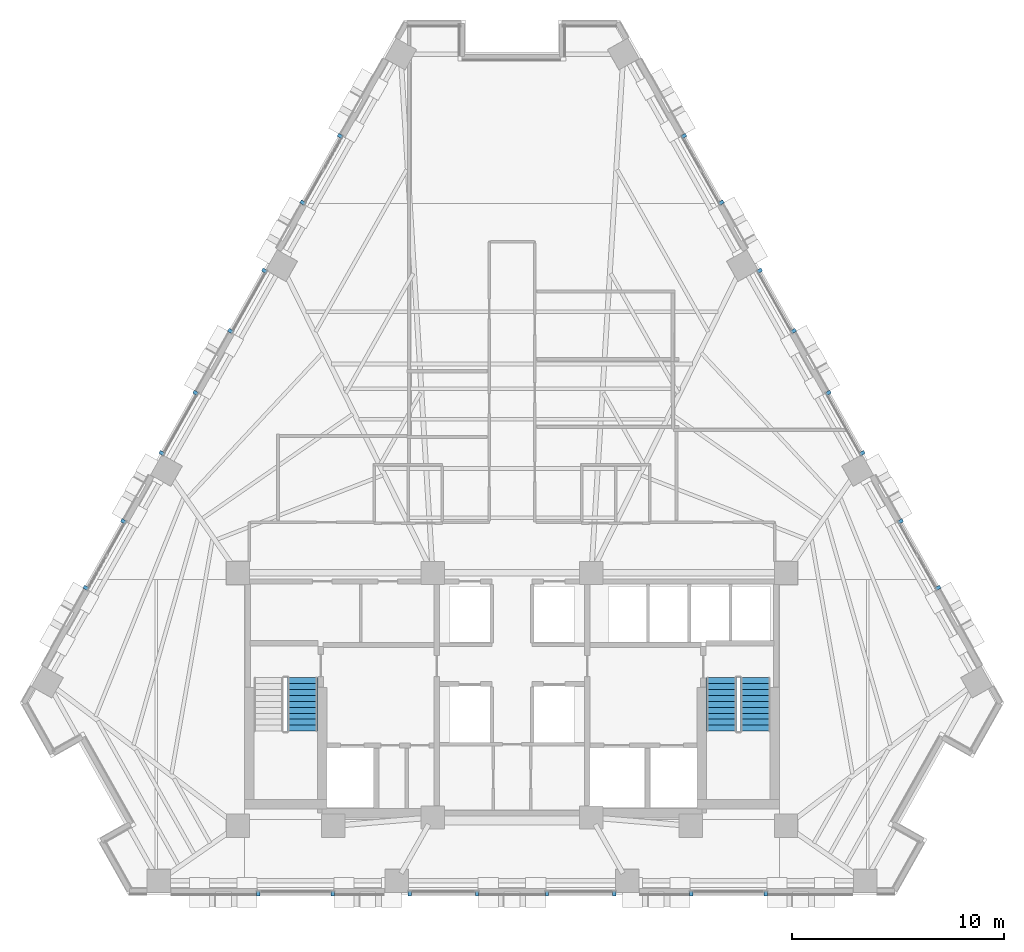
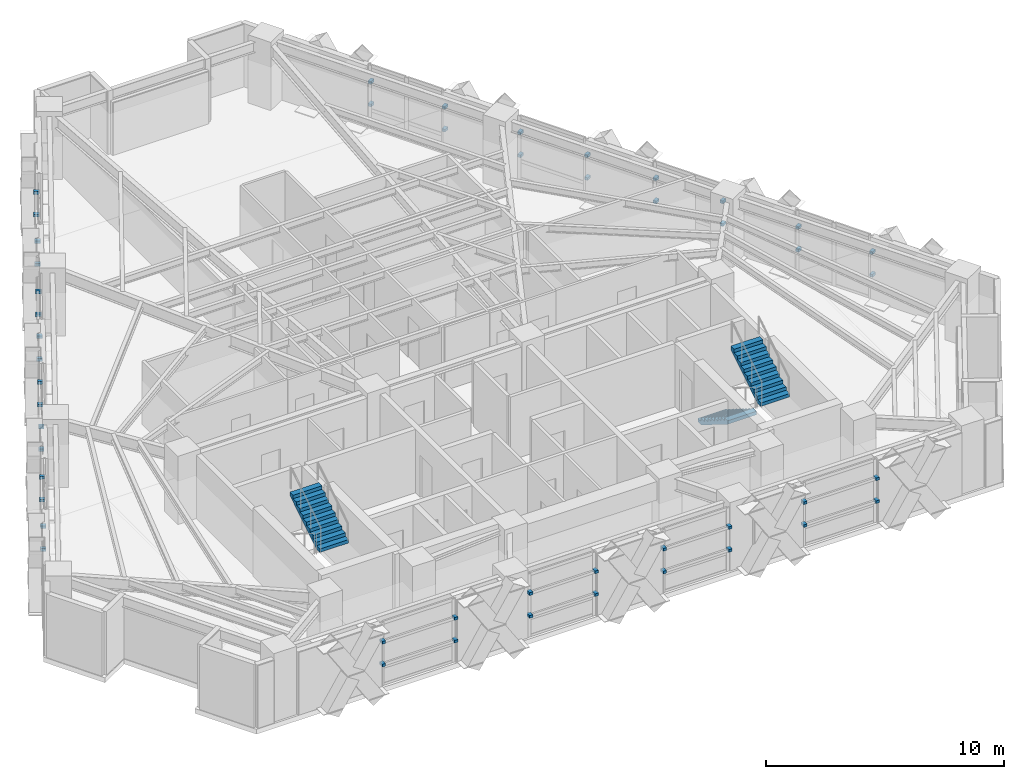
# One storey, part 10 of 14: 48 discrete accessories, 3 stair flights, 2 elements without a shape of their own.
"""IFC4 building model written with IfcOpenShell, lengths in metres."""

from ifc_helpers import new_model, si_unit, direction, frame, origin, origin_2d, place, context, subcontext, project, spatial, polyline, rectangle, outline, extrude, material, layer, layer_set, type_object, element, aggregate, save


model = new_model("IFC4")

# Units and contexts
model_context = context("Model", 3, precision=1e-05, world=origin(), true_north=direction((0.0, 1.0)))
body_context = subcontext(model_context, "Body", "Model", "MODEL_VIEW")
ifc_project = project(units=[si_unit("LENGTHUNIT", "METRE"), si_unit("AREAUNIT", "SQUARE_METRE"), si_unit("VOLUMEUNIT", "CUBIC_METRE"), si_unit("PLANEANGLEUNIT", "RADIAN"), si_unit("MASSUNIT", "GRAM", prefix="KILO")], contexts=[model_context])

# Site, building, storey
site_placement = place(None, origin())
site = spatial("IfcSite", under=ifc_project, at=site_placement, CompositionType="ELEMENT")
building_placement = place(site_placement, origin())
building = spatial("IfcBuilding", under=site, at=building_placement, Name="Quenlor Broadcast Tower", CompositionType="ELEMENT")
storey_placement = place(building_placement, frame((0.0, 0.0, 112.5)))
storey = spatial("IfcBuildingStorey", under=building, at=storey_placement, Name="L30", CompositionType="ELEMENT", Elevation=112.5)

# Stair, stair flight
ifc_material_1 = material(Name="Precast concrete C40/50", Category="concrete")
stair_type = type_object("IfcStairType", Name="Precast Concrete C40/50 Dogleg Stair H350", PredefinedType="HALF_TURN_STAIR", material=ifc_material_1)
stair_1_placement = place(storey_placement, origin())
stair_1 = element("IfcStair", 1, at=stair_1_placement, inside=storey, type_object=stair_type, Name="L30 West Core Fire-Isolated Exit Stair ST-1", PredefinedType="HALF_TURN_STAIR")
ifc_material_2 = material(Name="Precast concrete C40/50", Category="concrete")
ifc_layer = layer(ifc_material_2, 0.159912109375)
ifc_layer_set = layer_set([ifc_layer], Name="Precast Concrete C40/50 Stair Flight H350")
stair_flight_type = type_object("IfcStairFlightType", Name="Precast Concrete C40/50 Stair Flight H350", PredefinedType="STRAIGHT", material=ifc_layer_set)
stair_flight_1_placement = place(storey_placement, frame((-9.89990234375, -12.27001953125, 1.75), z_axis=(0.0, 0.0, 1.0), x_axis=(0.0, 1.0, 0.0)))
stair_flight_1 = element("IfcStairFlight", 2, at=stair_flight_1_placement, type_object=stair_flight_type, Name="ST-1 flight 2", NumberOfRisers=10, NumberOfTreads=9, PredefinedType="STRAIGHT", RiserHeight=0.175, TreadLength=0.28, context=body_context, shape_type="SweptSolid", body=[
    extrude(outline(polyline([(0.0, 0.0), (0.0, 0.175048828125), (0.280029296875, 0.175048828125), (0.280029296875, 0.35009765625), (0.56005859375, 0.35009765625), (0.56005859375, 0.52490234375), (0.840087890625, 0.52490234375), (0.840087890625, 0.699951171875), (1.1201171875, 0.699951171875), (1.1201171875, 0.875), (1.39990234375, 0.875), (1.39990234375, 1.050048828125), (1.679931640625, 1.050048828125), (1.679931640625, 1.22509765625), (1.9599609375, 1.22509765625), (1.9599609375, 1.39990234375), (2.239990234375, 1.39990234375), (2.239990234375, 1.574951171875), (2.52001953125, 1.574951171875), (2.52001953125, 1.75), (2.52001953125, 1.398193359375), (0.28271484375, 0.0), (0.0, 0.0)])), frame((0.0, 0.699951171875, 0.0), z_axis=(0.0, -1.0, 0.0), x_axis=(1.0, 0.0, 0.0)), (0.0, 0.0, 1.0), 1.39990234375),
])
aggregate(stair_1, [stair_flight_1])

# Stair, stair flights
stair_2_placement = place(storey_placement, origin())
stair_2 = element("IfcStair", 3, at=stair_2_placement, inside=storey, type_object=stair_type, Name="L30 East Core Fire-Isolated Exit Stair ST-2", PredefinedType="HALF_TURN_STAIR")
stair_flight_2_placement = place(storey_placement, frame((9.89990234375, -9.75, 0.0), z_axis=(0.0, 0.0, 1.0), x_axis=(0.0, -1.0, 0.0)))
stair_flight_2 = element("IfcStairFlight", 4, at=stair_flight_2_placement, type_object=stair_flight_type, Name="ST-2 flight 1", NumberOfRisers=10, NumberOfTreads=9, PredefinedType="STRAIGHT", RiserHeight=0.175, TreadLength=0.28, context=body_context, shape_type="SweptSolid", body=[
    extrude(outline(polyline([(0.0, 0.0), (0.0, 0.175048828125), (0.280029296875, 0.175048828125), (0.280029296875, 0.35009765625), (0.56005859375, 0.35009765625), (0.56005859375, 0.52490234375), (0.840087890625, 0.52490234375), (0.840087890625, 0.699951171875), (1.1201171875, 0.699951171875), (1.1201171875, 0.875), (1.39990234375, 0.875), (1.39990234375, 1.050048828125), (1.679931640625, 1.050048828125), (1.679931640625, 1.22509765625), (1.9599609375, 1.22509765625), (1.9599609375, 1.39990234375), (2.239990234375, 1.39990234375), (2.239990234375, 1.574951171875), (2.52001953125, 1.574951171875), (2.52001953125, 1.75), (2.52001953125, 1.398193359375), (0.28271484375, 0.0), (0.0, 0.0)])), frame((0.0, 0.699951171875, 0.0), z_axis=(0.0, -1.0, 0.0), x_axis=(1.0, 0.0, 0.0)), (0.0, 0.0, 1.0), 1.39990234375),
])
stair_flight_3_placement = place(storey_placement, frame((11.5, -12.27001953125, 1.75), z_axis=(0.0, 0.0, 1.0), x_axis=(0.0, 1.0, 0.0)))
stair_flight_3 = element("IfcStairFlight", 5, at=stair_flight_3_placement, type_object=stair_flight_type, Name="ST-2 flight 2", NumberOfRisers=10, NumberOfTreads=9, PredefinedType="STRAIGHT", RiserHeight=0.175, TreadLength=0.28, context=body_context, shape_type="SweptSolid", body=[
    extrude(outline(polyline([(0.0, 0.0), (0.0, 0.175048828125), (0.280029296875, 0.175048828125), (0.280029296875, 0.35009765625), (0.56005859375, 0.35009765625), (0.56005859375, 0.52490234375), (0.840087890625, 0.52490234375), (0.840087890625, 0.699951171875), (1.1201171875, 0.699951171875), (1.1201171875, 0.875), (1.39990234375, 0.875), (1.39990234375, 1.050048828125), (1.679931640625, 1.050048828125), (1.679931640625, 1.22509765625), (1.9599609375, 1.22509765625), (1.9599609375, 1.39990234375), (2.239990234375, 1.39990234375), (2.239990234375, 1.574951171875), (2.52001953125, 1.574951171875), (2.52001953125, 1.75), (2.52001953125, 1.398193359375), (0.28271484375, 0.0), (0.0, 0.0)])), frame((0.0, 0.699951171875, 0.0), z_axis=(0.0, -1.0, 0.0), x_axis=(1.0, 0.0, 0.0)), (0.0, 0.0, 1.0), 1.39990234375),
])
aggregate(stair_2, [stair_flight_2, stair_flight_3])

# Discrete accessories
ifc_material_3 = material(Name="Aluminium 6063-T6", Category="aluminium")
discrete_accessory_type = type_object("IfcDiscreteAccessoryType", Name="Stainless Mullion Baguette Support Bracket", PredefinedType="BRACKET", material=ifc_material_3)
for number, where, z_axis, x_axis, name in (
    (6, (11.981689453125, -19.93994140625, 1.10009765625), (0.0, 0.0, 1.0), (-1.0, 0.0, 0.0), "L30 Baguette Mullion Bracket 1.1"),
    (7, (8.47119140625, -19.93994140625, 1.10009765625), (0.0, 0.0, 1.0), (-1.0, 0.0, 0.0), "L30 Baguette Mullion Bracket 1.2"),
    (8, (11.981689453125, -19.93994140625, 2.27001953125), (0.0, 0.0, 1.0), (-1.0, 0.0, 0.0), "L30 Baguette Mullion Bracket 2.1"),
    (9, (8.47119140625, -19.93994140625, 2.27001953125), (0.0, 0.0, 1.0), (-1.0, 0.0, 0.0), "L30 Baguette Mullion Bracket 2.2"),
    (10, (-8.47119140625, -19.93994140625, 1.10009765625), (0.0, 0.0, 1.0), (-1.0, 0.0, 0.0), "L30 Baguette Mullion Bracket 1.1"),
    (11, (-11.981689453125, -19.93994140625, 1.10009765625), (0.0, 0.0, 1.0), (-1.0, 0.0, 0.0), "L30 Baguette Mullion Bracket 1.2"),
    (12, (-8.47119140625, -19.93994140625, 2.27001953125), (0.0, 0.0, 1.0), (-1.0, 0.0, 0.0), "L30 Baguette Mullion Bracket 2.1"),
    (13, (-11.981689453125, -19.93994140625, 2.27001953125), (0.0, 0.0, 1.0), (-1.0, 0.0, 0.0), "L30 Baguette Mullion Bracket 2.2"),
    (14, (4.835693359375, -19.93994140625, 1.10009765625), (0.0, 0.0, 1.0), (-1.0, 0.0, 0.0), "L30 Baguette Mullion Bracket 1.1"),
    (15, (1.653564453125, -19.93994140625, 1.10009765625), (0.0, 0.0, 1.0), (-1.0, 0.0, 0.0), "L30 Baguette Mullion Bracket 1.2"),
    (16, (4.835693359375, -19.93994140625, 2.27001953125), (0.0, 0.0, 1.0), (-1.0, 0.0, 0.0), "L30 Baguette Mullion Bracket 2.1"),
    (17, (1.653564453125, -19.93994140625, 2.27001953125), (0.0, 0.0, 1.0), (-1.0, 0.0, 0.0), "L30 Baguette Mullion Bracket 2.2"),
    (18, (-1.653564453125, -19.93994140625, 1.10009765625), (0.0, 0.0, 1.0), (-1.0, 0.0, 0.0), "L30 Baguette Mullion Bracket 1.1"),
    (19, (-4.835693359375, -19.93994140625, 1.10009765625), (0.0, 0.0, 1.0), (-1.0, 0.0, 0.0), "L30 Baguette Mullion Bracket 1.2"),
    (20, (-1.653564453125, -19.93994140625, 2.27001953125), (0.0, 0.0, 1.0), (-1.0, 0.0, 0.0), "L30 Baguette Mullion Bracket 2.1"),
    (21, (-4.835693359375, -19.93994140625, 2.27001953125), (0.0, 0.0, 1.0), (-1.0, 0.0, 0.0), "L30 Baguette Mullion Bracket 2.2"),
    (22, (8.1181640625, 15.84521484375, 1.10009765625), (0.0, 0.0, 1.0), (0.490264988701, -0.871573428263, 0.0), "L30 Baguette Mullion Bracket 1.1"),
    (23, (9.887939453125, 12.698974609375, 1.10009765625), (0.0, 0.0, 1.0), (0.490264988701, -0.871573428263, 0.0), "L30 Baguette Mullion Bracket 1.2"),
    (24, (8.1181640625, 15.84521484375, 2.27001953125), (0.0, 0.0, 1.0), (0.490264988701, -0.871573428263, 0.0), "L30 Baguette Mullion Bracket 2.1"),
    (25, (9.887939453125, 12.698974609375, 2.27001953125), (0.0, 0.0, 1.0), (0.490264988701, -0.871573428263, 0.0), "L30 Baguette Mullion Bracket 2.2"),
    (26, (18.357421875, -2.35791015625, 1.10009765625), (0.0, 0.0, 1.0), (0.490277158114, -0.871566582787, 0.0), "L30 Baguette Mullion Bracket 1.1"),
    (27, (20.127197265625, -5.504150390625, 1.10009765625), (0.0, 0.0, 1.0), (0.490277158114, -0.871566582787, 0.0), "L30 Baguette Mullion Bracket 1.2"),
    (28, (18.357421875, -2.35791015625, 2.27001953125), (0.0, 0.0, 1.0), (0.490277158114, -0.871566582787, 0.0), "L30 Baguette Mullion Bracket 2.1"),
    (29, (20.127197265625, -5.504150390625, 2.27001953125), (0.0, 0.0, 1.0), (0.490277158114, -0.871566582787, 0.0), "L30 Baguette Mullion Bracket 2.2"),
    (30, (11.69873046875, 9.4794921875, 1.10009765625), (0.0, 0.0, 1.0), (0.490261946333, -0.871575139605, 0.0), "L30 Baguette Mullion Bracket 1.1"),
    (31, (13.301025390625, 6.63134765625, 1.10009765625), (0.0, 0.0, 1.0), (0.490261946333, -0.871575139605, 0.0), "L30 Baguette Mullion Bracket 1.2"),
    (32, (11.69873046875, 9.4794921875, 2.27001953125), (0.0, 0.0, 1.0), (0.490261946333, -0.871575139605, 0.0), "L30 Baguette Mullion Bracket 2.1"),
    (33, (13.301025390625, 6.63134765625, 2.27001953125), (0.0, 0.0, 1.0), (0.490261946333, -0.871575139605, 0.0), "L30 Baguette Mullion Bracket 2.2"),
    (34, (14.9443359375, 3.7099609375, 1.10009765625), (0.0, 0.0, 1.0), (0.490261946333, -0.871575139605, 0.0), "L30 Baguette Mullion Bracket 1.1"),
    (35, (16.54638671875, 0.86181640625, 1.10009765625), (0.0, 0.0, 1.0), (0.490261946333, -0.871575139605, 0.0), "L30 Baguette Mullion Bracket 1.2"),
    (36, (14.9443359375, 3.7099609375, 2.27001953125), (0.0, 0.0, 1.0), (0.490261946333, -0.871575139605, 0.0), "L30 Baguette Mullion Bracket 2.1"),
    (37, (16.54638671875, 0.86181640625, 2.27001953125), (0.0, 0.0, 1.0), (0.490261946333, -0.871575139605, 0.0), "L30 Baguette Mullion Bracket 2.2"),
    (38, (-20.127197265625, -5.504150390625, 1.10009765625), (0.0, 0.0, 1.0), (0.490277158114, 0.871566582787, 0.0), "L30 Baguette Mullion Bracket 1.1"),
    (39, (-18.357421875, -2.35791015625, 1.10009765625), (0.0, 0.0, 1.0), (0.490277158114, 0.871566582787, 0.0), "L30 Baguette Mullion Bracket 1.2"),
    (40, (-20.127197265625, -5.504150390625, 2.27001953125), (0.0, 0.0, 1.0), (0.490277158114, 0.871566582787, 0.0), "L30 Baguette Mullion Bracket 2.1"),
    (41, (-18.357421875, -2.35791015625, 2.27001953125), (0.0, 0.0, 1.0), (0.490277158114, 0.871566582787, 0.0), "L30 Baguette Mullion Bracket 2.2"),
    (42, (-9.887939453125, 12.698974609375, 1.10009765625), (0.0, 0.0, 1.0), (0.490264988701, 0.871573428263, 0.0), "L30 Baguette Mullion Bracket 1.1"),
    (43, (-8.1181640625, 15.84521484375, 1.10009765625), (0.0, 0.0, 1.0), (0.490264988701, 0.871573428263, 0.0), "L30 Baguette Mullion Bracket 1.2"),
    (44, (-9.887939453125, 12.698974609375, 2.27001953125), (0.0, 0.0, 1.0), (0.490264988701, 0.871573428263, 0.0), "L30 Baguette Mullion Bracket 2.1"),
    (45, (-8.1181640625, 15.84521484375, 2.27001953125), (0.0, 0.0, 1.0), (0.490264988701, 0.871573428263, 0.0), "L30 Baguette Mullion Bracket 2.2"),
    (46, (-16.54638671875, 0.86181640625, 1.10009765625), (0.0, 0.0, 1.0), (0.490261946333, 0.871575139605, 0.0), "L30 Baguette Mullion Bracket 1.1"),
    (47, (-14.9443359375, 3.7099609375, 1.10009765625), (0.0, 0.0, 1.0), (0.490261946333, 0.871575139605, 0.0), "L30 Baguette Mullion Bracket 1.2"),
    (48, (-16.54638671875, 0.86181640625, 2.27001953125), (0.0, 0.0, 1.0), (0.490261946333, 0.871575139605, 0.0), "L30 Baguette Mullion Bracket 2.1"),
    (49, (-14.9443359375, 3.7099609375, 2.27001953125), (0.0, 0.0, 1.0), (0.490261946333, 0.871575139605, 0.0), "L30 Baguette Mullion Bracket 2.2"),
    (50, (-13.301025390625, 6.63134765625, 1.10009765625), (0.0, 0.0, 1.0), (0.490261946333, 0.871575139605, 0.0), "L30 Baguette Mullion Bracket 1.1"),
    (51, (-11.69873046875, 9.4794921875, 1.10009765625), (0.0, 0.0, 1.0), (0.490261946333, 0.871575139605, 0.0), "L30 Baguette Mullion Bracket 1.2"),
    (52, (-13.301025390625, 6.63134765625, 2.27001953125), (0.0, 0.0, 1.0), (0.490261946333, 0.871575139605, 0.0), "L30 Baguette Mullion Bracket 2.1"),
    (53, (-11.69873046875, 9.4794921875, 2.27001953125), (0.0, 0.0, 1.0), (0.490261946333, 0.871575139605, 0.0), "L30 Baguette Mullion Bracket 2.2"),
):
    element("IfcDiscreteAccessory", number, at=place(storey_placement, frame(where, z_axis=z_axis, x_axis=x_axis)), inside=storey, type_object=discrete_accessory_type, Name=name, PredefinedType="BRACKET", context=body_context, shape_type="SweptSolid", body=[
        extrude(rectangle(XDim=0.159912109375, YDim=0.239990234375, at=origin_2d()), origin(), (0.0, 0.0, 1.0), 0.139892578125),
    ])

save(model, "model.ifc")
